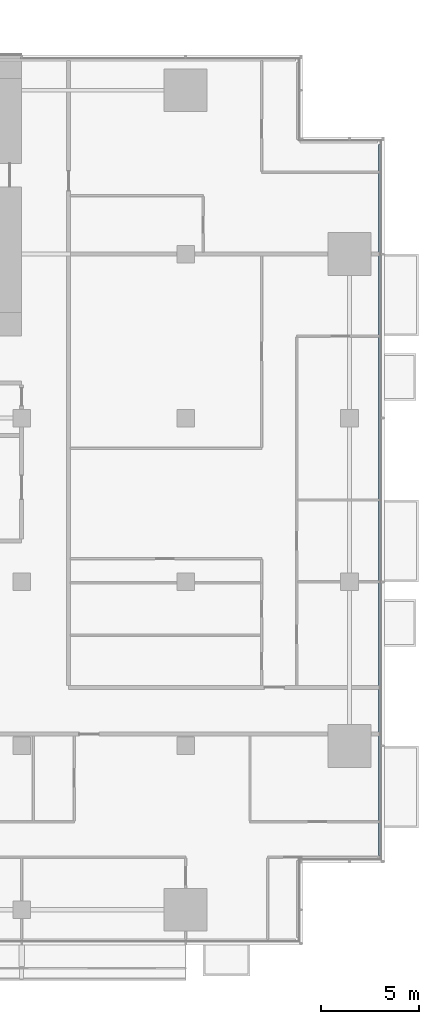
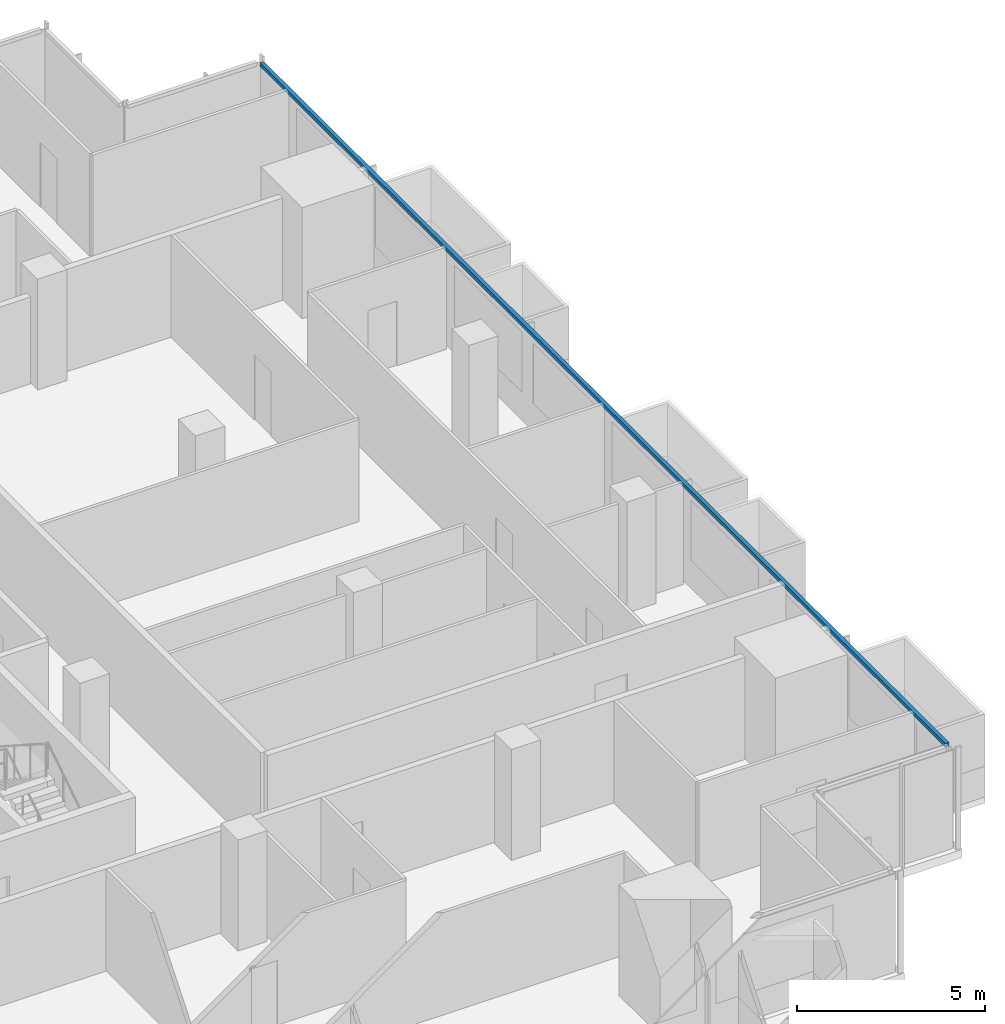
# One storey, part 12 of 27: 1 member, 1 element without a shape of its own.
"""IFC4 building model written with IfcOpenShell, lengths in metres."""

from ifc_helpers import new_model, si_unit, direction, frame, origin, origin_2d, place, context, subcontext, project, spatial, rectangle, extrude, material, material_profile, profile_set, type_object, element, aggregate, save


model = new_model("IFC4")

# Units and contexts
model_context = context("Model", 3, precision=1e-05, world=origin(), true_north=direction((0.0, 1.0)))
body_context = subcontext(model_context, "Body", "Model", "MODEL_VIEW")
ifc_project = project(units=[si_unit("LENGTHUNIT", "METRE"), si_unit("AREAUNIT", "SQUARE_METRE"), si_unit("VOLUMEUNIT", "CUBIC_METRE"), si_unit("PLANEANGLEUNIT", "RADIAN"), si_unit("MASSUNIT", "GRAM", prefix="KILO")], contexts=[model_context])

# Site, building, storey
site_placement = place(None, origin())
site = spatial("IfcSite", under=ifc_project, at=site_placement, CompositionType="ELEMENT")
building_placement = place(site_placement, origin())
building = spatial("IfcBuilding", under=site, at=building_placement, Name="Saffron Gate Tower", CompositionType="ELEMENT")
storey_placement = place(building_placement, frame((0.0, 0.0, 44.39990234375)))
storey = spatial("IfcBuildingStorey", under=building, at=storey_placement, Name="L09", CompositionType="ELEMENT", Elevation=44.39990234375)

# Curtain wall, member
ifc_material = material(Name="Aluminium, bronze anodised", Category="aluminium")
curtain_wall_type = type_object("IfcCurtainWallType", Name="CWS2 curtain wall side facades", PredefinedType="NOTDEFINED", material=ifc_material)
curtain_wall_placement = place(storey_placement, origin())
curtain_wall = element("IfcCurtainWall", 1, at=curtain_wall_placement, inside=storey, type_object=curtain_wall_type, Name="CWS2 run 4", PredefinedType="NOTDEFINED")
ifc_material_profile = material_profile(ifc_material, rectangle(XDim=0.1201171875, YDim=0.1201171875, at=origin_2d()))
ifc_profile_set = profile_set([ifc_material_profile], Name="Aluminium, bronze anodised")
member_type = type_object("IfcMemberType", Name="CWS2 head transom", PredefinedType="USERDEFINED", material=ifc_profile_set)
member_placement = place(storey_placement, frame((126.951904296875, 34.568115234375, 3.260009765625), z_axis=(0.0, 1.0, 0.0), x_axis=(-1.0, 0.0, 0.0)))
member = element("IfcMember", 2, at=member_placement, type_object=member_type, Name="CWS2 head transom", ObjectType="TRANSOM", PredefinedType="USERDEFINED", context=body_context, shape_type="SweptSolid", body=[
    extrude(rectangle(XDim=0.1201171875, YDim=0.1201171875, at=origin_2d()), origin(), (0.0, 0.0, 1.0), 36.4638671875),
])
aggregate(curtain_wall, [member])

save(model, "model.ifc")
